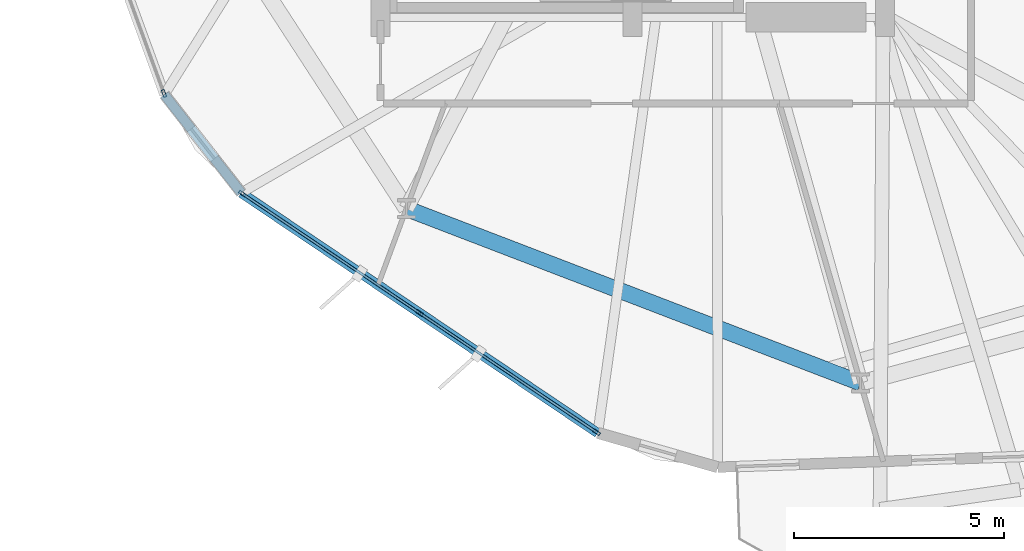
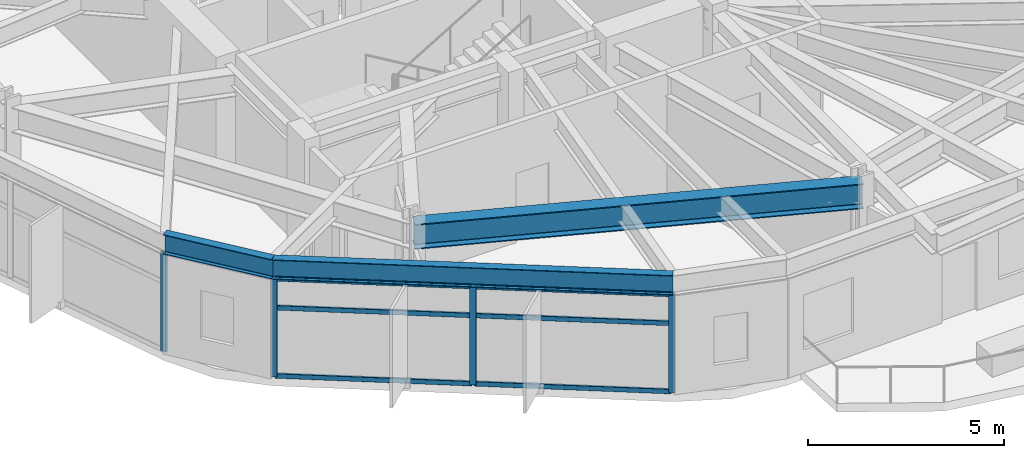
# One storey, part 2 of 21: 10 members, 3 beams, 2 elements without a shape of their own.
"""IFC4 building model written with IfcOpenShell, lengths in metres."""

from ifc_helpers import new_model, si_unit, direction, frame, origin, origin_2d, place, context, subcontext, project, spatial, hollow_rectangle, i_section, extrude, material, layer, layer_set, material_profile, profile_set, type_object, element, aggregate, save


model = new_model("IFC4")

# Units and contexts
model_context = context("Model", 3, precision=1e-05, world=origin(), true_north=direction((0.0, 1.0)))
body_context = subcontext(model_context, "Body", "Model", "MODEL_VIEW")
ifc_project = project(units=[si_unit("LENGTHUNIT", "METRE"), si_unit("AREAUNIT", "SQUARE_METRE"), si_unit("VOLUMEUNIT", "CUBIC_METRE"), si_unit("PLANEANGLEUNIT", "RADIAN"), si_unit("MASSUNIT", "GRAM", prefix="KILO")], contexts=[model_context])

# Site, building, storey
site_placement = place(None, origin())
site = spatial("IfcSite", under=ifc_project, at=site_placement, CompositionType="ELEMENT")
building_placement = place(site_placement, origin())
building = spatial("IfcBuilding", under=site, at=building_placement, Name="Soratama Intermodal Tower", CompositionType="ELEMENT")
storey_placement = place(building_placement, frame((0.0, 0.0, 34.60009765625)))
storey = spatial("IfcBuildingStorey", under=building, at=storey_placement, Name="L07", CompositionType="ELEMENT", Elevation=34.60009765625)

# Beams
ifc_material_1 = material(Name="Structural steel ASTM A992 Grade 50", Category="steel")
ifc_material_profile_1 = material_profile(ifc_material_1, i_section(OverallWidth=0.382080078125, OverallDepth=0.779052734375, WebThickness=0.01806640625, FlangeThickness=0.030029296875, FilletRadius=0.01806640625, at=origin_2d()), Name="W30X191")
ifc_profile_set_1 = profile_set([ifc_material_profile_1], Name="Structural steel ASTM A992 Grade 50")
beam_type_1 = type_object("IfcBeamType", Name="BM-RING-W30X191", PredefinedType="BEAM", material=ifc_profile_set_1)
beam_1_placement = place(storey_placement, frame((33.218994140625, 10.451904296875, 3.310302734375), z_axis=(0.933584159632, -0.358358224246, 0.0), x_axis=(0.358358224246, 0.933584159632, 0.0)))
element("IfcBeam", 1, at=beam_1_placement, inside=storey, type_object=beam_type_1, Name="BM-L07-RING-07", PredefinedType="BEAM", context=body_context, shape_type="SweptSolid", body=[
    extrude(i_section(OverallWidth=0.382080078125, OverallDepth=0.779052734375, WebThickness=0.01806640625, FlangeThickness=0.030029296875, FilletRadius=0.01806640625, at=origin_2d()), origin(), (0.0, 0.0, 1.0), 11.5693359375),
])
ifc_material_2 = material(Name="Structural steel ASTM A992 Grade 50", Category="steel")
ifc_material_profile_2 = material_profile(ifc_material_2, i_section(OverallWidth=0.22900390625, OverallDepth=0.612060546875, WebThickness=0.011962890625, FlangeThickness=0.01953125, FilletRadius=0.012939453125, at=origin_2d()), Name="W24X84")
ifc_profile_set_2 = profile_set([ifc_material_profile_2], Name="Structural steel ASTM A992 Grade 50")
beam_type_2 = type_object("IfcBeamType", Name="BM-SPN-W24X84", PredefinedType="SPANDREL", material=ifc_profile_set_2)
beam_2_placement = place(storey_placement, frame((27.462890625, 13.162109375, 3.393798828125), z_axis=(0.616268316519, -0.787536260787, 0.0), x_axis=(0.787536260787, 0.616268316519, 0.0)))
element("IfcBeam", 2, at=beam_2_placement, inside=storey, type_object=beam_type_2, Name="BS-L07-CRN06", PredefinedType="SPANDREL", context=body_context, shape_type="SweptSolid", body=[
    extrude(i_section(OverallWidth=0.22900390625, OverallDepth=0.612060546875, WebThickness=0.011962890625, FlangeThickness=0.01953125, FilletRadius=0.012939453125, at=origin_2d()), origin(), (0.0, 0.0, 1.0), 2.966552734375),
])
beam_3_placement = place(storey_placement, frame((29.291015625, 10.825927734375, 3.393798828125), z_axis=(0.82941027997, -0.558639944401, 0.0), x_axis=(0.558639944401, 0.82941027997, 0.0)))
element("IfcBeam", 3, at=beam_3_placement, inside=storey, type_object=beam_type_2, Name="BS-L07-F07", PredefinedType="SPANDREL", context=body_context, shape_type="SweptSolid", body=[
    extrude(i_section(OverallWidth=0.22900390625, OverallDepth=0.612060546875, WebThickness=0.011962890625, FlangeThickness=0.01953125, FilletRadius=0.012939453125, at=origin_2d()), origin(), (0.0, 0.0, 1.0), 10.222900390625),
])

# Curtain wall, member
ifc_material_3 = material(Name="Double-glazed aluminium curtain wall", Category="aluminium")
ifc_layer = layer(ifc_material_3, 0.159912109375)
ifc_layer_set = layer_set([ifc_layer], Name="Double-glazed aluminium curtain wall")
curtain_wall_type = type_object("IfcCurtainWallType", Name="CW-SYS-2", PredefinedType="NOTDEFINED", material=ifc_layer_set)
curtain_wall_1_placement = place(storey_placement, origin())
curtain_wall_1 = element("IfcCurtainWall", 4, at=curtain_wall_1_placement, inside=storey, type_object=curtain_wall_type, Name="L07 Faceted Curtain Wall F06", PredefinedType="NOTDEFINED")
ifc_material_4 = material(Name="Anodised aluminium AA 6063-T6", Category="aluminium")
ifc_material_profile_3 = material_profile(ifc_material_4, hollow_rectangle(XDim=0.074951171875, YDim=0.179931640625, WallThickness=0.006103515625, InnerFilletRadius=0.006103515625, OuterFilletRadius=0.011962890625, at=origin_2d()), Name="CWM180X75X6")
ifc_profile_set_3 = profile_set([ifc_material_profile_3], Name="Anodised aluminium AA 6063-T6")
member_type_1 = type_object("IfcMemberType", Name="MT-CWM-2", PredefinedType="MULLION", material=ifc_profile_set_3)
member_1_placement = place(storey_placement, frame((27.452880859375, 13.1904296875, 0.0), z_axis=(0.0, 0.0, 1.0), x_axis=(0.939452518912, 0.342679098735, 0.0)))
member_1 = element("IfcMember", 5, at=member_1_placement, type_object=member_type_1, Name="CW-2 mullion 3", PredefinedType="MULLION", context=body_context, shape_type="SweptSolid", body=[
    extrude(hollow_rectangle(XDim=0.074951171875, YDim=0.179931640625, WallThickness=0.006103515625, InnerFilletRadius=0.006103515625, OuterFilletRadius=0.011962890625, at=origin_2d()), origin(), (0.0, 0.0, 1.0), 3.078857421875),
])
aggregate(curtain_wall_1, [member_1])

# Curtain wall, members
curtain_wall_2_placement = place(storey_placement, origin())
curtain_wall_2 = element("IfcCurtainWall", 6, at=curtain_wall_2_placement, inside=storey, type_object=curtain_wall_type, Name="L07 Faceted Curtain Wall F07", PredefinedType="NOTDEFINED")
member_2_placement = place(storey_placement, frame((29.31591796875, 10.80908203125, 0.0), z_axis=(0.0, 0.0, 1.0), x_axis=(0.558610542443, 0.82943008257, 0.0)))
member_2 = element("IfcMember", 7, at=member_2_placement, type_object=member_type_1, Name="CW-2 mullion 1", PredefinedType="MULLION", context=body_context, shape_type="SweptSolid", body=[
    extrude(hollow_rectangle(XDim=0.074951171875, YDim=0.179931640625, WallThickness=0.006103515625, InnerFilletRadius=0.006103515625, OuterFilletRadius=0.011962890625, at=origin_2d()), origin(), (0.0, 0.0, 1.0), 3.078857421875),
])
member_3_placement = place(storey_placement, frame((33.53076171875, 7.970458984375, 0.0), z_axis=(0.0, 0.0, 1.0), x_axis=(0.558610542443, 0.82943008257, 0.0)))
member_3 = element("IfcMember", 8, at=member_3_placement, type_object=member_type_1, Name="CW-2 mullion 2", PredefinedType="MULLION", context=body_context, shape_type="SweptSolid", body=[
    extrude(hollow_rectangle(XDim=0.074951171875, YDim=0.179931640625, WallThickness=0.006103515625, InnerFilletRadius=0.006103515625, OuterFilletRadius=0.011962890625, at=origin_2d()), origin(), (0.0, 0.0, 1.0), 3.078857421875),
])
member_4_placement = place(storey_placement, frame((37.74560546875, 5.132080078125, 0.0), z_axis=(0.0, 0.0, 1.0), x_axis=(0.558610542443, 0.82943008257, 0.0)))
member_4 = element("IfcMember", 9, at=member_4_placement, type_object=member_type_1, Name="CW-2 mullion 3", PredefinedType="MULLION", context=body_context, shape_type="SweptSolid", body=[
    extrude(hollow_rectangle(XDim=0.074951171875, YDim=0.179931640625, WallThickness=0.006103515625, InnerFilletRadius=0.006103515625, OuterFilletRadius=0.011962890625, at=origin_2d()), origin(), (0.0, 0.0, 1.0), 3.078857421875),
])
ifc_material_5 = material(Name="Anodised aluminium AA 6063-T6", Category="aluminium")
ifc_material_profile_4 = material_profile(ifc_material_5, hollow_rectangle(XDim=0.06494140625, YDim=0.14990234375, WallThickness=0.0048828125, InnerFilletRadius=0.0048828125, OuterFilletRadius=0.010009765625, at=origin_2d()), Name="CWT150X65X5")
ifc_profile_set_4 = profile_set([ifc_material_profile_4], Name="Anodised aluminium AA 6063-T6")
member_type_2 = type_object("IfcMemberType", Name="TT-CWT-1", PredefinedType="USERDEFINED", material=ifc_profile_set_4)
member_5_placement = place(storey_placement, frame((29.3408203125, 10.79248046875, 0.02978515625), z_axis=(0.829423135499, -0.558620857379, 0.0), x_axis=(0.558620857379, 0.829423135499, 0.0)))
member_5 = element("IfcMember", 10, at=member_5_placement, type_object=member_type_2, Name="CW-2 transom 1.1", ObjectType="TRANSOM", PredefinedType="USERDEFINED", context=body_context, shape_type="SweptSolid", body=[
    extrude(hollow_rectangle(XDim=0.06494140625, YDim=0.14990234375, WallThickness=0.0048828125, InnerFilletRadius=0.0048828125, OuterFilletRadius=0.010009765625, at=origin_2d()), origin(), (0.0, 0.0, 1.0), 5.021728515625),
])
member_6_placement = place(storey_placement, frame((29.3408203125, 10.79248046875, 2.14990234375), z_axis=(0.829423135499, -0.558620857379, 0.0), x_axis=(0.558620857379, 0.829423135499, 0.0)))
member_6 = element("IfcMember", 11, at=member_6_placement, type_object=member_type_2, Name="CW-2 transom 1.2", ObjectType="TRANSOM", PredefinedType="USERDEFINED", context=body_context, shape_type="SweptSolid", body=[
    extrude(hollow_rectangle(XDim=0.06494140625, YDim=0.14990234375, WallThickness=0.0048828125, InnerFilletRadius=0.0048828125, OuterFilletRadius=0.010009765625, at=origin_2d()), origin(), (0.0, 0.0, 1.0), 5.021728515625),
])
member_7_placement = place(storey_placement, frame((29.3408203125, 10.79248046875, 3.048828125), z_axis=(0.829423135499, -0.558620857379, 0.0), x_axis=(0.558620857379, 0.829423135499, 0.0)))
member_7 = element("IfcMember", 12, at=member_7_placement, type_object=member_type_2, Name="CW-2 transom 1.3", ObjectType="TRANSOM", PredefinedType="USERDEFINED", context=body_context, shape_type="SweptSolid", body=[
    extrude(hollow_rectangle(XDim=0.06494140625, YDim=0.14990234375, WallThickness=0.0048828125, InnerFilletRadius=0.0048828125, OuterFilletRadius=0.010009765625, at=origin_2d()), origin(), (0.0, 0.0, 1.0), 5.021728515625),
])
member_8_placement = place(storey_placement, frame((33.5556640625, 7.953857421875, 0.02978515625), z_axis=(0.829423135499, -0.558620857379, 0.0), x_axis=(0.558620857379, 0.829423135499, 0.0)))
member_8 = element("IfcMember", 13, at=member_8_placement, type_object=member_type_2, Name="CW-2 transom 2.1", ObjectType="TRANSOM", PredefinedType="USERDEFINED", context=body_context, shape_type="SweptSolid", body=[
    extrude(hollow_rectangle(XDim=0.06494140625, YDim=0.14990234375, WallThickness=0.0048828125, InnerFilletRadius=0.0048828125, OuterFilletRadius=0.010009765625, at=origin_2d()), origin(), (0.0, 0.0, 1.0), 5.021728515625),
])
member_9_placement = place(storey_placement, frame((33.5556640625, 7.953857421875, 2.14990234375), z_axis=(0.829423135499, -0.558620857379, 0.0), x_axis=(0.558620857379, 0.829423135499, 0.0)))
member_9 = element("IfcMember", 14, at=member_9_placement, type_object=member_type_2, Name="CW-2 transom 2.2", ObjectType="TRANSOM", PredefinedType="USERDEFINED", context=body_context, shape_type="SweptSolid", body=[
    extrude(hollow_rectangle(XDim=0.06494140625, YDim=0.14990234375, WallThickness=0.0048828125, InnerFilletRadius=0.0048828125, OuterFilletRadius=0.010009765625, at=origin_2d()), origin(), (0.0, 0.0, 1.0), 5.021728515625),
])
member_10_placement = place(storey_placement, frame((33.5556640625, 7.953857421875, 3.048828125), z_axis=(0.829423135499, -0.558620857379, 0.0), x_axis=(0.558620857379, 0.829423135499, 0.0)))
member_10 = element("IfcMember", 15, at=member_10_placement, type_object=member_type_2, Name="CW-2 transom 2.3", ObjectType="TRANSOM", PredefinedType="USERDEFINED", context=body_context, shape_type="SweptSolid", body=[
    extrude(hollow_rectangle(XDim=0.06494140625, YDim=0.14990234375, WallThickness=0.0048828125, InnerFilletRadius=0.0048828125, OuterFilletRadius=0.010009765625, at=origin_2d()), origin(), (0.0, 0.0, 1.0), 5.021728515625),
])
aggregate(curtain_wall_2, [member_2, member_3, member_4, member_5, member_6, member_7, member_8, member_9, member_10])

save(model, "model.ifc")
